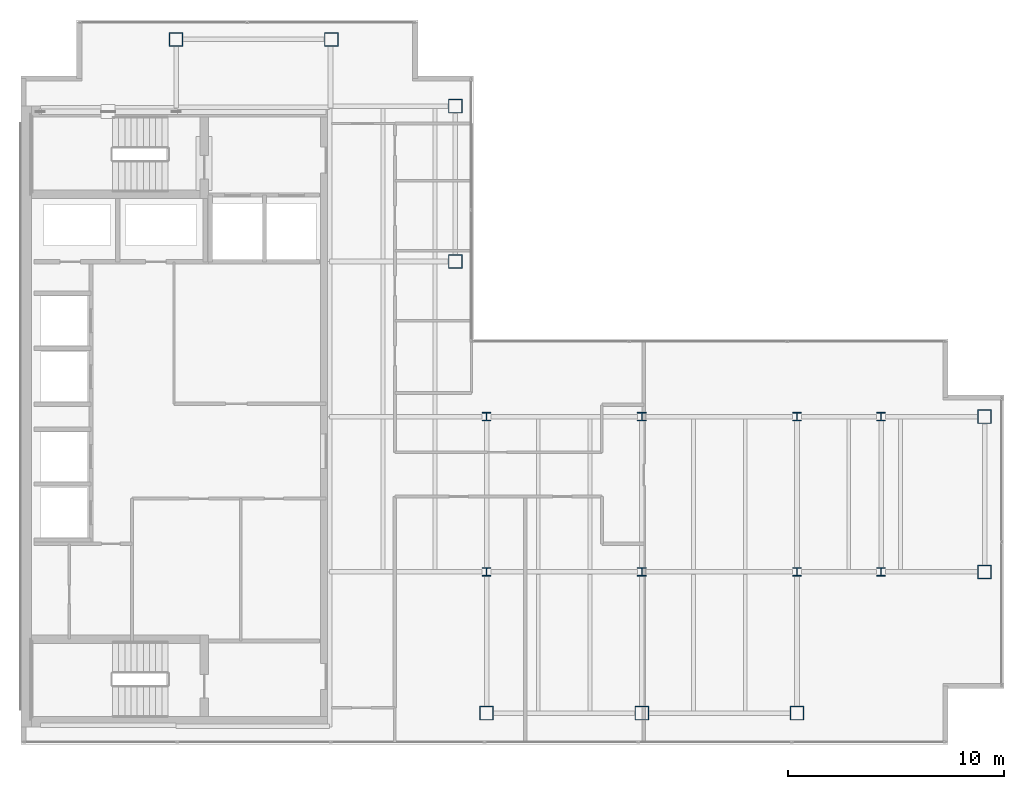
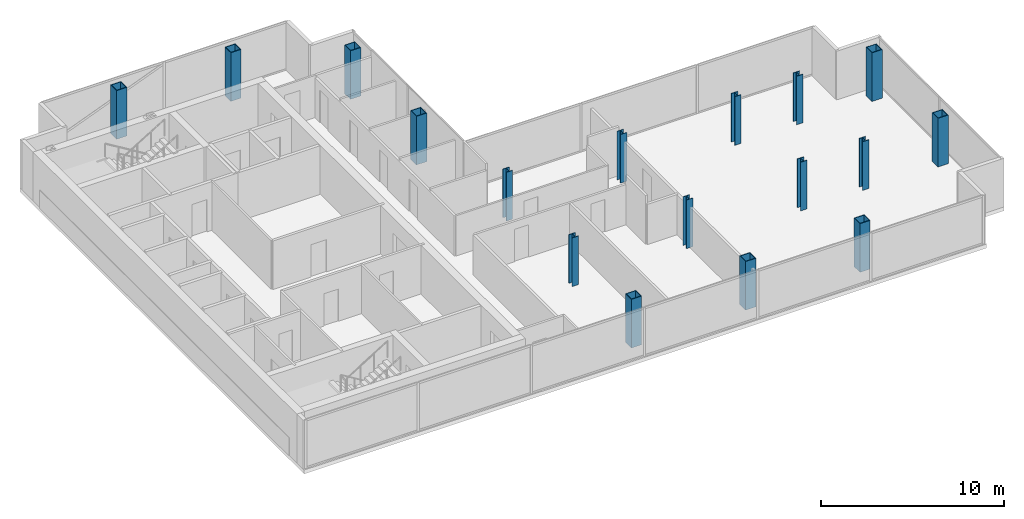
# One storey, part 1 of 23: 17 columns.
"""IFC4 building model written with IfcOpenShell, lengths in metres."""

from ifc_helpers import new_model, si_unit, direction, frame, origin, origin_2d, place, context, subcontext, project, spatial, hollow_rectangle, i_section, extrude, material, material_profile, profile_set, type_object, element, save


model = new_model("IFC4")

# Units and contexts
model_context = context("Model", 3, precision=1e-05, world=origin(), true_north=direction((0.0, 1.0)))
body_context = subcontext(model_context, "Body", "Model", "MODEL_VIEW")
ifc_project = project(units=[si_unit("LENGTHUNIT", "METRE"), si_unit("AREAUNIT", "SQUARE_METRE"), si_unit("VOLUMEUNIT", "CUBIC_METRE"), si_unit("PLANEANGLEUNIT", "RADIAN"), si_unit("MASSUNIT", "GRAM", prefix="KILO")], contexts=[model_context])

# Site, building, storey
site_placement = place(None, origin())
site = spatial("IfcSite", under=ifc_project, at=site_placement, CompositionType="ELEMENT")
building_placement = place(site_placement, origin())
building = spatial("IfcBuilding", under=site, at=building_placement, Name="Cobrela Telecom Tower", CompositionType="ELEMENT")
storey_placement = place(building_placement, frame((0.0, 0.0, 269.14990234375)))
storey = spatial("IfcBuildingStorey", under=building, at=storey_placement, Name="L70", CompositionType="ELEMENT", Elevation=269.14990234375)

# Columns
ifc_material_1 = material(Name="Steel ASTM A992 Grade 50", Category="steel")
ifc_material_profile_1 = material_profile(ifc_material_1, i_section(OverallWidth=0.39892578125, OverallDepth=0.39404296875, WebThickness=0.022705078125, FlangeThickness=0.03662109375, FilletRadius=0.01806640625, at=origin_2d()), Name="W14X193")
ifc_profile_set_1 = profile_set([ifc_material_profile_1], Name="Steel ASTM A992 Grade 50")
column_type_1 = type_object("IfcColumnType", Name="COL-INT-06", PredefinedType="COLUMN", material=ifc_profile_set_1)
for number, where, z_axis, x_axis, name in (
    (1, (21.60009765625, 14.39990234375, 0.0), (0.0, 0.0, 1.0), (1.0, 0.0, 0.0), "L70 Interior Column 06"),
    (2, (21.60009765625, 21.60009765625, 0.0), (0.0, 0.0, 1.0), (1.0, 0.0, 0.0), "L70 Interior Column 07"),
    (3, (28.800048828125, 14.39990234375, 0.0), (0.0, 0.0, 1.0), (1.0, 0.0, 0.0), "L70 Interior Column 09"),
    (4, (28.800048828125, 21.60009765625, 0.0), (0.0, 0.0, 1.0), (1.0, 0.0, 0.0), "L70 Interior Column 10"),
    (5, (36.0, 14.39990234375, 0.0), (0.0, 0.0, 1.0), (1.0, 0.0, 0.0), "L70 Interior Column 12"),
    (6, (36.0, 21.60009765625, 0.0), (0.0, 0.0, 1.0), (1.0, 0.0, 0.0), "L70 Interior Column 13"),
    (7, (39.89990234375, 14.39990234375, 0.0), (0.0, 0.0, 1.0), (1.0, 0.0, 0.0), "L70 Interior Column 14"),
    (8, (39.89990234375, 21.60009765625, 0.0), (0.0, 0.0, 1.0), (1.0, 0.0, 0.0), "L70 Interior Column 15"),
):
    element("IfcColumn", number, at=place(storey_placement, frame(where, z_axis=z_axis, x_axis=x_axis)), inside=storey, type_object=column_type_1, Name=name, PredefinedType="COLUMN", context=body_context, shape_type="SweptSolid", body=[
        extrude(i_section(OverallWidth=0.39892578125, OverallDepth=0.39404296875, WebThickness=0.022705078125, FlangeThickness=0.03662109375, FilletRadius=0.01806640625, at=origin_2d()), origin(), (0.0, 0.0, 1.0), 3.239990234375),
    ])
ifc_material_2 = material(Name="Steel ASTM A572 Grade 50", Category="steel")
ifc_material_profile_2 = material_profile(ifc_material_2, hollow_rectangle(XDim=0.64990234375, YDim=0.64990234375, WallThickness=0.0400390625, at=origin_2d()), Name="BOX 650x650x40")
ifc_profile_set_2 = profile_set([ifc_material_profile_2], Name="Steel ASTM A572 Grade 50")
column_type_2 = type_object("IfcColumnType", Name="COL-MEGA-09", PredefinedType="COLUMN", material=ifc_profile_set_2)
for number, where, z_axis, x_axis, name in (
    (9, (7.199951171875, 39.10009765625, 0.0), (0.0, 0.0, 1.0), (1.0, 0.0, 0.0), "L70 Perimeter Mega-Column 01"),
    (10, (14.39990234375, 39.10009765625, 0.0), (0.0, 0.0, 1.0), (1.0, 0.0, 0.0), "L70 Perimeter Mega-Column 02"),
    (11, (20.14990234375, 28.800048828125, 0.0), (0.0, 0.0, 1.0), (1.0, 0.0, 0.0), "L70 Perimeter Mega-Column 03"),
    (12, (20.14990234375, 36.0, 0.0), (0.0, 0.0, 1.0), (1.0, 0.0, 0.0), "L70 Perimeter Mega-Column 04"),
    (13, (21.60009765625, 7.85009765625, 0.0), (0.0, 0.0, 1.0), (1.0, 0.0, 0.0), "L70 Perimeter Mega-Column 05"),
    (14, (28.800048828125, 7.85009765625, 0.0), (0.0, 0.0, 1.0), (1.0, 0.0, 0.0), "L70 Perimeter Mega-Column 08"),
    (15, (36.0, 7.85009765625, 0.0), (0.0, 0.0, 1.0), (1.0, 0.0, 0.0), "L70 Perimeter Mega-Column 11"),
    (16, (44.699951171875, 14.39990234375, 0.0), (0.0, 0.0, 1.0), (1.0, 0.0, 0.0), "L70 Perimeter Mega-Column 16"),
    (17, (44.699951171875, 21.60009765625, 0.0), (0.0, 0.0, 1.0), (1.0, 0.0, 0.0), "L70 Perimeter Mega-Column 17"),
):
    element("IfcColumn", number, at=place(storey_placement, frame(where, z_axis=z_axis, x_axis=x_axis)), inside=storey, type_object=column_type_2, Name=name, PredefinedType="COLUMN", context=body_context, shape_type="SweptSolid", body=[
        extrude(hollow_rectangle(XDim=0.64990234375, YDim=0.64990234375, WallThickness=0.0400390625, at=origin_2d()), origin(), (0.0, 0.0, 1.0), 3.239990234375),
    ])

save(model, "model.ifc")
